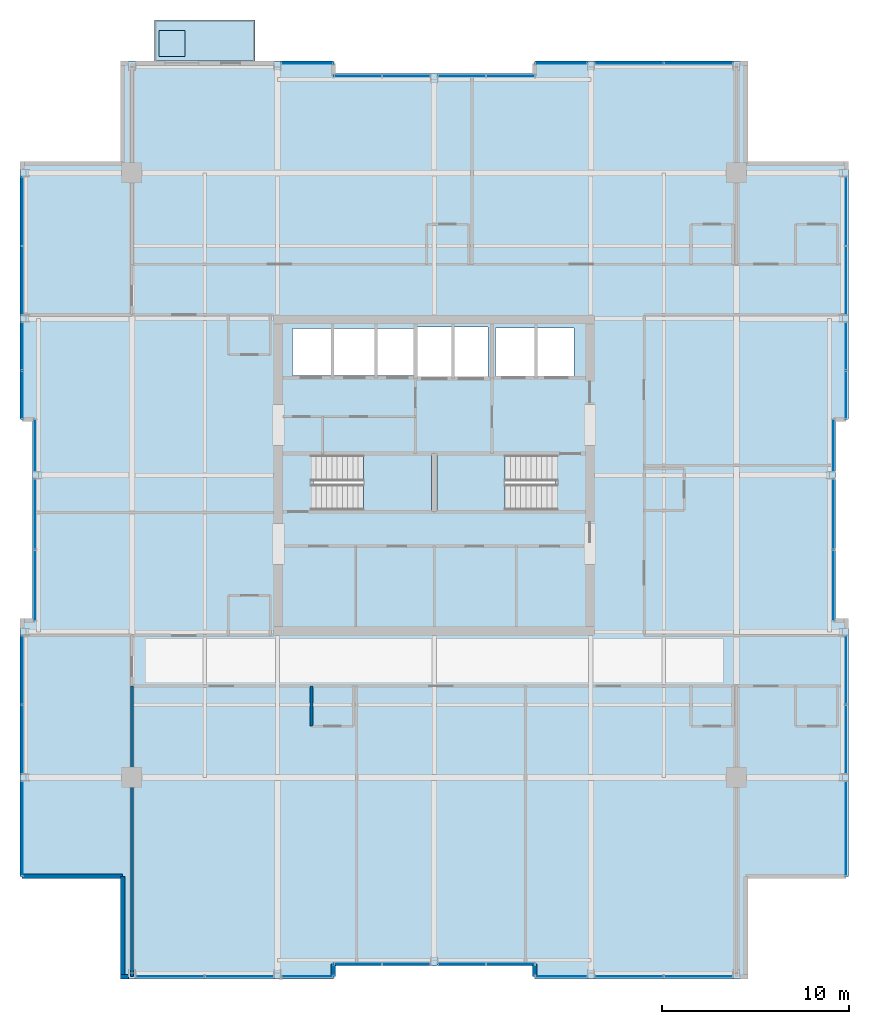
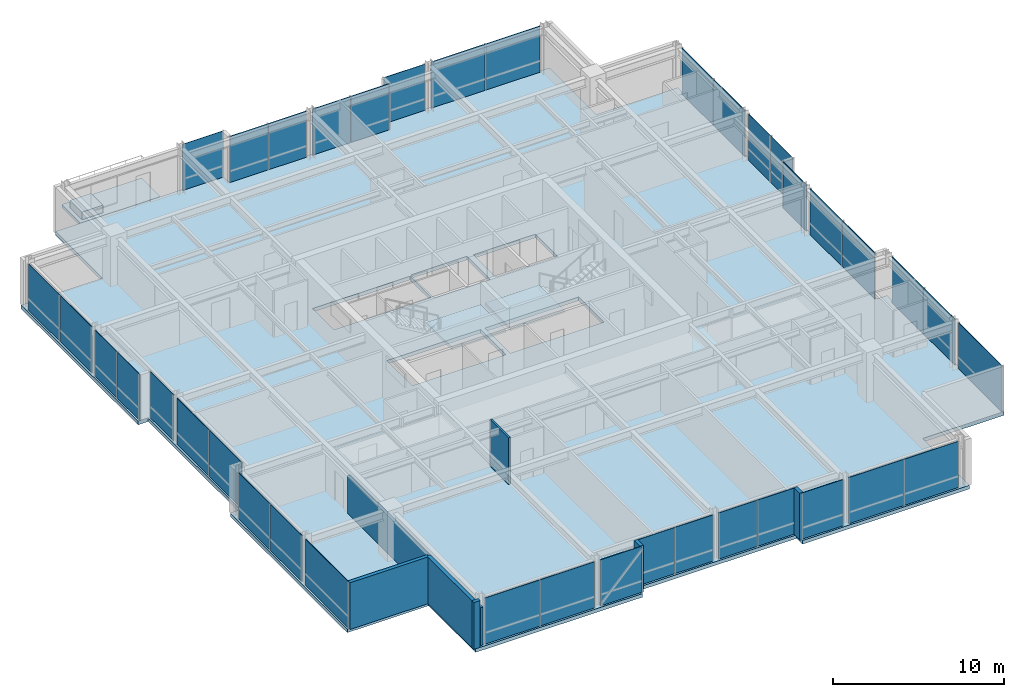
# One storey, part 25 of 32: 38 plates, 7 walls, 5 slabs, 25 elements without a shape of their own.
"""IFC4 building model written with IfcOpenShell, lengths in metres."""

from ifc_helpers import new_model, si_unit, direction, frame, frame_2d, origin, origin_2d, place, context, subcontext, project, spatial, polyline, rectangle, outline, extrude, material, layer, layer_set, type_object, element, aggregate, save


model = new_model("IFC4")

# Units and contexts
model_context = context("Model", 3, precision=1e-05, world=origin(), true_north=direction((0.0, 1.0)))
body_context = subcontext(model_context, "Body", "Model", "MODEL_VIEW")
ifc_project = project(units=[si_unit("LENGTHUNIT", "METRE"), si_unit("AREAUNIT", "SQUARE_METRE"), si_unit("VOLUMEUNIT", "CUBIC_METRE"), si_unit("PLANEANGLEUNIT", "RADIAN"), si_unit("MASSUNIT", "GRAM", prefix="KILO")], contexts=[model_context])

# Site, building, storey
site_placement = place(None, origin())
site = spatial("IfcSite", under=ifc_project, at=site_placement, CompositionType="ELEMENT")
building_placement = place(site_placement, origin())
building = spatial("IfcBuilding", under=site, at=building_placement, Name="Drelvath Grand Hotel", CompositionType="ELEMENT")
storey_placement = place(building_placement, frame((0.0, 0.0, 223.10009765625)))
storey = spatial("IfcBuildingStorey", under=building, at=storey_placement, Name="L58", CompositionType="ELEMENT", Elevation=223.10009765625)

# Slabs
ifc_material_1 = material(Name="Concrete f'c 40 MPa", Category="concrete")
ifc_layer_1 = layer(ifc_material_1, 0.239990234375)
ifc_layer_set_1 = layer_set([ifc_layer_1], Name="Concrete f'c 40 MPa")
slab_type_1 = type_object("IfcSlabType", Name="Cantilevered Tree Balcony Slab 240", PredefinedType="FLOOR", material=ifc_layer_set_1)
slab_1_placement = place(storey_placement, frame((0.0, 0.0, -0.239990234375)))
element("IfcSlab", 1, at=slab_1_placement, inside=storey, type_object=slab_type_1, Name="L58 Cantilevered Tree Balcony Slab 1", PredefinedType="FLOOR", context=body_context, shape_type="SweptSolid", body=[
    extrude(outline(polyline([(-15.0, 49.199951171875), (-9.60009765625, 49.199951171875), (-9.60009765625, 51.39990234375), (-15.0, 51.39990234375), (-15.0, 49.199951171875)])), origin(), (0.0, 0.0, 1.0), 0.239990234375),
])
ifc_layer_2 = layer(ifc_material_1, 0.260009765625)
ifc_layer_set_2 = layer_set([ifc_layer_2], Name="Concrete f'c 40 MPa")
slab_type_2 = type_object("IfcSlabType", Name="Composite RC Floor Slab 260", PredefinedType="FLOOR", material=ifc_layer_set_2)
slab_2_placement = place(storey_placement, frame((0.0, 0.0, -0.260009765625)))
element("IfcSlab", 2, at=slab_2_placement, inside=storey, type_object=slab_type_2, Name="L58 Structural Floor Slab", PredefinedType="FLOOR", context=body_context, shape_type="SweptSolid", body=[
    extrude(outline(polyline([(-16.699951171875, 0.0), (-5.39990234375, 0.0), (-5.39990234375, 0.679931640625), (5.39990234375, 0.679931640625), (5.39990234375, 0.0), (16.699951171875, 0.0), (16.699951171875, 5.5), (22.199951171875, 5.5), (22.199951171875, 19.199951171875), (21.52001953125, 19.199951171875), (21.52001953125, 30.0), (22.199951171875, 30.0), (22.199951171875, 43.699951171875), (16.699951171875, 43.699951171875), (16.699951171875, 49.199951171875), (5.39990234375, 49.199951171875), (5.39990234375, 48.52001953125), (-5.39990234375, 48.52001953125), (-5.39990234375, 49.199951171875), (-16.699951171875, 49.199951171875), (-16.699951171875, 43.699951171875), (-22.199951171875, 43.699951171875), (-22.199951171875, 30.0), (-21.52001953125, 30.0), (-21.52001953125, 19.199951171875), (-22.199951171875, 19.199951171875), (-22.199951171875, 5.5), (-16.699951171875, 5.5), (-16.699951171875, 0.0)]), holes=[polyline([(-6.47998046875, 25.1201171875), (-6.47998046875, 28.080078125), (-0.14990234375, 28.080078125), (-0.14990234375, 25.1201171875), (-6.47998046875, 25.1201171875)]), polyline([(0.14990234375, 25.1201171875), (0.14990234375, 28.080078125), (6.47998046875, 28.080078125), (6.47998046875, 25.1201171875), (0.14990234375, 25.1201171875)]), polyline([(-7.60009765625, 32.35009765625), (-7.60009765625, 34.85009765625), (-1.02001953125, 34.85009765625), (-1.02001953125, 32.35009765625), (-7.60009765625, 32.35009765625)]), polyline([(-0.89990234375, 32.25), (-0.89990234375, 34.949951171875), (2.89990234375, 34.949951171875), (2.89990234375, 32.25), (-0.89990234375, 32.25)]), polyline([(3.300048828125, 32.300048828125), (3.300048828125, 34.89990234375), (7.5, 34.89990234375), (7.5, 32.300048828125), (3.300048828125, 32.300048828125)])]), origin(), (0.0, 0.0, 1.0), 0.260009765625),
])

# Stair, slab
ifc_material_2 = material(Name="Concrete C40/50", Category="concrete")
stair_type = type_object("IfcStairType", Name="Dogleg Exit Stair W1400-R163.6", PredefinedType="HALF_TURN_STAIR", material=ifc_material_2)
stair_1_placement = place(storey_placement, origin())
stair_1 = element("IfcStair", 3, at=stair_1_placement, inside=storey, type_object=stair_type, Name="L58 Core Exit Stair ST-1", PredefinedType="HALF_TURN_STAIR")
ifc_layer_3 = layer(ifc_material_2, 0.199951171875)
ifc_layer_set_3 = layer_set([ifc_layer_3], Name="Concrete C40/50")
slab_type_3 = type_object("IfcSlabType", Name="Concrete Stair Landing Slab 200", PredefinedType="LANDING", material=ifc_layer_set_3)
slab_3_placement = place(storey_placement, frame((0.0, 0.0, 1.599853515625)))
slab_3 = element("IfcSlab", 4, at=slab_3_placement, type_object=slab_type_3, Name="ST-1 landing 1", PredefinedType="LANDING", context=body_context, shape_type="SweptSolid", body=[
    extrude(outline(polyline([(-3.800048828125, 25.1201171875), (-0.14990234375, 25.1201171875), (-0.14990234375, 28.080078125), (-3.800048828125, 28.080078125), (-3.800048828125, 25.1201171875)])), origin(), (0.0, 0.0, 1.0), 0.199951171875),
])
aggregate(stair_1, [slab_3])

stair_2_placement = place(storey_placement, origin())
stair_2 = element("IfcStair", 5, at=stair_2_placement, inside=storey, type_object=stair_type, Name="L58 Core Exit Stair ST-2", PredefinedType="HALF_TURN_STAIR")
slab_4_placement = place(storey_placement, frame((0.0, 0.0, 1.599853515625)))
slab_4 = element("IfcSlab", 6, at=slab_4_placement, type_object=slab_type_3, Name="ST-2 landing 1", PredefinedType="LANDING", context=body_context, shape_type="SweptSolid", body=[
    extrude(outline(polyline([(3.800048828125, 28.080078125), (0.14990234375, 28.080078125), (0.14990234375, 25.1201171875), (3.800048828125, 25.1201171875), (3.800048828125, 28.080078125)])), origin(), (0.0, 0.0, 1.0), 0.199951171875),
])
aggregate(stair_2, [slab_4])

# Curtain wall, plate
ifc_material_3 = material(Name="Platinum-Mist Anodised Aluminium Frame", Category="aluminium")
ifc_layer_4 = layer(ifc_material_3, 0.199951171875)
ifc_layer_set_4 = layer_set([ifc_layer_4], Name="Platinum-Mist Anodised Aluminium Frame")
curtain_wall_type = type_object("IfcCurtainWallType", Name="Stick Curtain Wall CW-05 Platinum Mist High-Rise", PredefinedType="NOTDEFINED", material=ifc_layer_set_4)
curtain_wall_1_placement = place(storey_placement, origin())
curtain_wall_1 = element("IfcCurtainWall", 7, at=curtain_wall_1_placement, inside=storey, type_object=curtain_wall_type, Name="L58 CW-05 Curtain Wall CW05-L58-WS1", PredefinedType="NOTDEFINED")
ifc_material_4 = material(Name="Low-E Triple Silver High-Altitude Glass", Category="glass")
ifc_layer_5 = layer(ifc_material_4, 0.035888671875)
ifc_layer_set_5 = layer_set([ifc_layer_5], Name="Low-E Triple Silver High-Altitude Glass")
plate_type = type_object("IfcPlateType", Name="Curtain Wall Vision Panel CW-05 36mm", PredefinedType="CURTAIN_PANEL", material=ifc_layer_set_5)
plate_1_placement = place(storey_placement, frame((-22.080078125, 8.057373046875, 0.02001953125), z_axis=(0.0, 0.0, 1.0), x_axis=(0.0, 1.0, 0.0)))
plate_1 = element("IfcPlate", 8, at=plate_1_placement, type_object=plate_type, Name="CW05-L58-WS1 Glazed Panel 1", PredefinedType="CURTAIN_PANEL", context=body_context, shape_type="SweptSolid", body=[
    extrude(rectangle(XDim=5.07470703125, YDim=0.035888671875, at=origin_2d()), origin(), (0.0, 0.0, 1.0), 3.300048828125),
])
aggregate(curtain_wall_1, [plate_1])

# Curtain wall, plates
curtain_wall_2_placement = place(storey_placement, origin())
curtain_wall_2 = element("IfcCurtainWall", 9, at=curtain_wall_2_placement, inside=storey, type_object=curtain_wall_type, Name="L58 CW-05 Curtain Wall CW05-L58-WS2", PredefinedType="NOTDEFINED")
plate_2_placement = place(storey_placement, frame((-22.080078125, 12.842529296875, 0.02001953125), z_axis=(0.0, 0.0, 1.0), x_axis=(0.0, 1.0, 0.0)))
plate_2 = element("IfcPlate", 10, at=plate_2_placement, type_object=plate_type, Name="CW05-L58-WS2 Glazed Panel 1", PredefinedType="CURTAIN_PANEL", context=body_context, shape_type="SweptSolid", body=[
    extrude(rectangle(XDim=3.6748046875, YDim=0.035888671875, at=origin_2d()), origin(), (0.0, 0.0, 1.0), 3.300048828125),
])
plate_3_placement = place(storey_placement, frame((-22.080078125, 16.557373046875, 0.02001953125), z_axis=(0.0, 0.0, 1.0), x_axis=(0.0, 1.0, 0.0)))
plate_3 = element("IfcPlate", 11, at=plate_3_placement, type_object=plate_type, Name="CW05-L58-WS2 Glazed Panel 2", PredefinedType="CURTAIN_PANEL", context=body_context, shape_type="SweptSolid", body=[
    extrude(rectangle(XDim=3.6748046875, YDim=0.035888671875, at=origin_2d()), origin(), (0.0, 0.0, 1.0), 3.300048828125),
])
aggregate(curtain_wall_2, [plate_2, plate_3])

curtain_wall_3_placement = place(storey_placement, origin())
curtain_wall_3 = element("IfcCurtainWall", 12, at=curtain_wall_3_placement, inside=storey, type_object=curtain_wall_type, Name="L58 CW-05 Curtain Wall CW05-L58-WM1", PredefinedType="NOTDEFINED")
plate_4_placement = place(storey_placement, frame((-21.39990234375, 21.103759765625, 0.02001953125), z_axis=(0.0, 0.0, 1.0), x_axis=(0.0, 1.0, 0.0)))
plate_4 = element("IfcPlate", 13, at=plate_4_placement, type_object=plate_type, Name="CW05-L58-WM1 Glazed Panel 1", PredefinedType="CURTAIN_PANEL", context=body_context, shape_type="SweptSolid", body=[
    extrude(rectangle(XDim=3.767333984375, YDim=0.035888671875, at=origin_2d()), origin(), (0.0, 0.0, 1.0), 3.300048828125),
])
plate_5_placement = place(storey_placement, frame((-21.39990234375, 24.910888671875, 0.02001953125), z_axis=(0.0, 0.0, 1.0), x_axis=(0.0, 1.0, 0.0)))
plate_5 = element("IfcPlate", 14, at=plate_5_placement, type_object=plate_type, Name="CW05-L58-WM1 Glazed Panel 2", PredefinedType="CURTAIN_PANEL", context=body_context, shape_type="SweptSolid", body=[
    extrude(rectangle(XDim=3.767333984375, YDim=0.035888671875, at=origin_2d()), origin(), (0.0, 0.0, 1.0), 3.300048828125),
])
aggregate(curtain_wall_3, [plate_4, plate_5])

# Curtain wall, plate
curtain_wall_4_placement = place(storey_placement, origin())
curtain_wall_4 = element("IfcCurtainWall", 15, at=curtain_wall_4_placement, inside=storey, type_object=curtain_wall_type, Name="L58 CW-05 Curtain Wall CW05-L58-WM2", PredefinedType="NOTDEFINED")
plate_6_placement = place(storey_placement, frame((-21.39990234375, 28.592529296875, 0.02001953125), z_axis=(0.0, 0.0, 1.0), x_axis=(0.0, 1.0, 0.0)))
plate_6 = element("IfcPlate", 16, at=plate_6_placement, type_object=plate_type, Name="CW05-L58-WM2 Glazed Panel 1", PredefinedType="CURTAIN_PANEL", context=body_context, shape_type="SweptSolid", body=[
    extrude(rectangle(XDim=2.774658203125, YDim=0.035888671875, at=origin_2d()), origin(), (0.0, 0.0, 1.0), 3.300048828125),
])
aggregate(curtain_wall_4, [plate_6])

# Curtain wall, plates
curtain_wall_5_placement = place(storey_placement, origin())
curtain_wall_5 = element("IfcCurtainWall", 17, at=curtain_wall_5_placement, inside=storey, type_object=curtain_wall_type, Name="L58 CW-05 Curtain Wall CW05-L58-WN1", PredefinedType="NOTDEFINED")
plate_7_placement = place(storey_placement, frame((-22.080078125, 31.3037109375, 0.02001953125), z_axis=(0.0, 0.0, 1.0), x_axis=(0.0, 1.0, 0.0)))
plate_7 = element("IfcPlate", 18, at=plate_7_placement, type_object=plate_type, Name="CW05-L58-WN1 Glazed Panel 1", PredefinedType="CURTAIN_PANEL", context=body_context, shape_type="SweptSolid", body=[
    extrude(rectangle(XDim=2.5673828125, YDim=0.035888671875, at=origin_2d()), origin(), (0.0, 0.0, 1.0), 3.300048828125),
])
plate_8_placement = place(storey_placement, frame((-22.080078125, 33.9111328125, 0.02001953125), z_axis=(0.0, 0.0, 1.0), x_axis=(0.0, 1.0, 0.0)))
plate_8 = element("IfcPlate", 19, at=plate_8_placement, type_object=plate_type, Name="CW05-L58-WN1 Glazed Panel 2", PredefinedType="CURTAIN_PANEL", context=body_context, shape_type="SweptSolid", body=[
    extrude(rectangle(XDim=2.5673828125, YDim=0.035888671875, at=origin_2d()), origin(), (0.0, 0.0, 1.0), 3.300048828125),
])
aggregate(curtain_wall_5, [plate_7, plate_8])

curtain_wall_6_placement = place(storey_placement, origin())
curtain_wall_6 = element("IfcCurtainWall", 20, at=curtain_wall_6_placement, inside=storey, type_object=curtain_wall_type, Name="L58 CW-05 Curtain Wall CW05-L58-WN2", PredefinedType="NOTDEFINED")
plate_9_placement = place(storey_placement, frame((-22.080078125, 37.442626953125, 0.02001953125), z_axis=(0.0, 0.0, 1.0), x_axis=(0.0, 1.0, 0.0)))
plate_9 = element("IfcPlate", 21, at=plate_9_placement, type_object=plate_type, Name="CW05-L58-WN2 Glazed Panel 1", PredefinedType="CURTAIN_PANEL", context=body_context, shape_type="SweptSolid", body=[
    extrude(rectangle(XDim=3.6748046875, YDim=0.035888671875, at=origin_2d()), origin(), (0.0, 0.0, 1.0), 3.300048828125),
])
plate_10_placement = place(storey_placement, frame((-22.080078125, 41.157470703125, 0.02001953125), z_axis=(0.0, 0.0, 1.0), x_axis=(0.0, 1.0, 0.0)))
plate_10 = element("IfcPlate", 22, at=plate_10_placement, type_object=plate_type, Name="CW05-L58-WN2 Glazed Panel 2", PredefinedType="CURTAIN_PANEL", context=body_context, shape_type="SweptSolid", body=[
    extrude(rectangle(XDim=3.6748046875, YDim=0.035888671875, at=origin_2d()), origin(), (0.0, 0.0, 1.0), 3.300048828125),
])
aggregate(curtain_wall_6, [plate_9, plate_10])

curtain_wall_7_placement = place(storey_placement, origin())
curtain_wall_7 = element("IfcCurtainWall", 23, at=curtain_wall_7_placement, inside=storey, type_object=curtain_wall_type, Name="L58 CW-05 Curtain Wall CW05-L58-EN1", PredefinedType="NOTDEFINED")
plate_11_placement = place(storey_placement, frame((22.080078125, 33.9111328125, 0.02001953125), z_axis=(0.0, 0.0, 1.0), x_axis=(0.0, -1.0, 0.0)))
plate_11 = element("IfcPlate", 24, at=plate_11_placement, type_object=plate_type, Name="CW05-L58-EN1 Glazed Panel 1", PredefinedType="CURTAIN_PANEL", context=body_context, shape_type="SweptSolid", body=[
    extrude(rectangle(XDim=2.5673828125, YDim=0.035888671875, at=origin_2d()), origin(), (0.0, 0.0, 1.0), 3.300048828125),
])
plate_12_placement = place(storey_placement, frame((22.080078125, 31.3037109375, 0.02001953125), z_axis=(0.0, 0.0, 1.0), x_axis=(0.0, -1.0, 0.0)))
plate_12 = element("IfcPlate", 25, at=plate_12_placement, type_object=plate_type, Name="CW05-L58-EN1 Glazed Panel 2", PredefinedType="CURTAIN_PANEL", context=body_context, shape_type="SweptSolid", body=[
    extrude(rectangle(XDim=2.5673828125, YDim=0.035888671875, at=origin_2d()), origin(), (0.0, 0.0, 1.0), 3.300048828125),
])
aggregate(curtain_wall_7, [plate_11, plate_12])

curtain_wall_8_placement = place(storey_placement, origin())
curtain_wall_8 = element("IfcCurtainWall", 26, at=curtain_wall_8_placement, inside=storey, type_object=curtain_wall_type, Name="L58 CW-05 Curtain Wall CW05-L58-EN2", PredefinedType="NOTDEFINED")
plate_13_placement = place(storey_placement, frame((22.080078125, 41.157470703125, 0.02001953125), z_axis=(0.0, 0.0, 1.0), x_axis=(0.0, -1.0, 0.0)))
plate_13 = element("IfcPlate", 27, at=plate_13_placement, type_object=plate_type, Name="CW05-L58-EN2 Glazed Panel 1", PredefinedType="CURTAIN_PANEL", context=body_context, shape_type="SweptSolid", body=[
    extrude(rectangle(XDim=3.6748046875, YDim=0.035888671875, at=origin_2d()), origin(), (0.0, 0.0, 1.0), 3.300048828125),
])
plate_14_placement = place(storey_placement, frame((22.080078125, 37.442626953125, 0.02001953125), z_axis=(0.0, 0.0, 1.0), x_axis=(0.0, -1.0, 0.0)))
plate_14 = element("IfcPlate", 28, at=plate_14_placement, type_object=plate_type, Name="CW05-L58-EN2 Glazed Panel 2", PredefinedType="CURTAIN_PANEL", context=body_context, shape_type="SweptSolid", body=[
    extrude(rectangle(XDim=3.6748046875, YDim=0.035888671875, at=origin_2d()), origin(), (0.0, 0.0, 1.0), 3.300048828125),
])
aggregate(curtain_wall_8, [plate_13, plate_14])

curtain_wall_9_placement = place(storey_placement, origin())
curtain_wall_9 = element("IfcCurtainWall", 29, at=curtain_wall_9_placement, inside=storey, type_object=curtain_wall_type, Name="L58 CW-05 Curtain Wall CW05-L58-EM1", PredefinedType="NOTDEFINED")
plate_15_placement = place(storey_placement, frame((21.39990234375, 24.910888671875, 0.02001953125), z_axis=(0.0, 0.0, 1.0), x_axis=(0.0, -1.0, 0.0)))
plate_15 = element("IfcPlate", 30, at=plate_15_placement, type_object=plate_type, Name="CW05-L58-EM1 Glazed Panel 1", PredefinedType="CURTAIN_PANEL", context=body_context, shape_type="SweptSolid", body=[
    extrude(rectangle(XDim=3.767333984375, YDim=0.035888671875, at=origin_2d()), origin(), (0.0, 0.0, 1.0), 3.300048828125),
])
plate_16_placement = place(storey_placement, frame((21.39990234375, 21.103759765625, 0.02001953125), z_axis=(0.0, 0.0, 1.0), x_axis=(0.0, -1.0, 0.0)))
plate_16 = element("IfcPlate", 31, at=plate_16_placement, type_object=plate_type, Name="CW05-L58-EM1 Glazed Panel 2", PredefinedType="CURTAIN_PANEL", context=body_context, shape_type="SweptSolid", body=[
    extrude(rectangle(XDim=3.767333984375, YDim=0.035888671875, at=origin_2d()), origin(), (0.0, 0.0, 1.0), 3.300048828125),
])
aggregate(curtain_wall_9, [plate_15, plate_16])

# Curtain wall, plate
curtain_wall_10_placement = place(storey_placement, origin())
curtain_wall_10 = element("IfcCurtainWall", 32, at=curtain_wall_10_placement, inside=storey, type_object=curtain_wall_type, Name="L58 CW-05 Curtain Wall CW05-L58-EM2", PredefinedType="NOTDEFINED")
plate_17_placement = place(storey_placement, frame((21.39990234375, 28.592529296875, 0.02001953125), z_axis=(0.0, 0.0, 1.0), x_axis=(0.0, -1.0, 0.0)))
plate_17 = element("IfcPlate", 33, at=plate_17_placement, type_object=plate_type, Name="CW05-L58-EM2 Glazed Panel 1", PredefinedType="CURTAIN_PANEL", context=body_context, shape_type="SweptSolid", body=[
    extrude(rectangle(XDim=2.774658203125, YDim=0.035888671875, at=origin_2d()), origin(), (0.0, 0.0, 1.0), 3.300048828125),
])
aggregate(curtain_wall_10, [plate_17])

curtain_wall_11_placement = place(storey_placement, origin())
curtain_wall_11 = element("IfcCurtainWall", 34, at=curtain_wall_11_placement, inside=storey, type_object=curtain_wall_type, Name="L58 CW-05 Curtain Wall CW05-L58-ES1", PredefinedType="NOTDEFINED")
plate_18_placement = place(storey_placement, frame((22.080078125, 8.057373046875, 0.02001953125), z_axis=(0.0, 0.0, 1.0), x_axis=(0.0, -1.0, 0.0)))
plate_18 = element("IfcPlate", 35, at=plate_18_placement, type_object=plate_type, Name="CW05-L58-ES1 Glazed Panel 1", PredefinedType="CURTAIN_PANEL", context=body_context, shape_type="SweptSolid", body=[
    extrude(rectangle(XDim=5.07470703125, YDim=0.035888671875, at=origin_2d()), origin(), (0.0, 0.0, 1.0), 3.300048828125),
])
aggregate(curtain_wall_11, [plate_18])

# Curtain wall, plates
curtain_wall_12_placement = place(storey_placement, origin())
curtain_wall_12 = element("IfcCurtainWall", 36, at=curtain_wall_12_placement, inside=storey, type_object=curtain_wall_type, Name="L58 CW-05 Curtain Wall CW05-L58-ES2", PredefinedType="NOTDEFINED")
plate_19_placement = place(storey_placement, frame((22.080078125, 16.557373046875, 0.02001953125), z_axis=(0.0, 0.0, 1.0), x_axis=(0.0, -1.0, 0.0)))
plate_19 = element("IfcPlate", 37, at=plate_19_placement, type_object=plate_type, Name="CW05-L58-ES2 Glazed Panel 1", PredefinedType="CURTAIN_PANEL", context=body_context, shape_type="SweptSolid", body=[
    extrude(rectangle(XDim=3.6748046875, YDim=0.035888671875, at=origin_2d()), origin(), (0.0, 0.0, 1.0), 3.300048828125),
])
plate_20_placement = place(storey_placement, frame((22.080078125, 12.842529296875, 0.02001953125), z_axis=(0.0, 0.0, 1.0), x_axis=(0.0, -1.0, 0.0)))
plate_20 = element("IfcPlate", 38, at=plate_20_placement, type_object=plate_type, Name="CW05-L58-ES2 Glazed Panel 2", PredefinedType="CURTAIN_PANEL", context=body_context, shape_type="SweptSolid", body=[
    extrude(rectangle(XDim=3.6748046875, YDim=0.035888671875, at=origin_2d()), origin(), (0.0, 0.0, 1.0), 3.300048828125),
])
aggregate(curtain_wall_12, [plate_19, plate_20])

# Curtain wall, plate
curtain_wall_13_placement = place(storey_placement, origin())
curtain_wall_13 = element("IfcCurtainWall", 39, at=curtain_wall_13_placement, inside=storey, type_object=curtain_wall_type, Name="L58 CW-05 Curtain Wall CW05-L58-NW3", PredefinedType="NOTDEFINED")
plate_21_placement = place(storey_placement, frame((-6.807373046875, 49.080078125, 0.02001953125), z_axis=(0.0, 0.0, 1.0), x_axis=(1.0, 0.0, 0.0)))
plate_21 = element("IfcPlate", 40, at=plate_21_placement, type_object=plate_type, Name="CW05-L58-NW3 Glazed Panel 1", PredefinedType="CURTAIN_PANEL", context=body_context, shape_type="SweptSolid", body=[
    extrude(rectangle(XDim=2.774658203125, YDim=0.035888671875, at=origin_2d()), origin(), (0.0, 0.0, 1.0), 3.300048828125),
])
aggregate(curtain_wall_13, [plate_21])

# Curtain wall, plates
curtain_wall_14_placement = place(storey_placement, origin())
curtain_wall_14 = element("IfcCurtainWall", 41, at=curtain_wall_14_placement, inside=storey, type_object=curtain_wall_type, Name="L58 CW-05 Curtain Wall CW05-L58-NM1", PredefinedType="NOTDEFINED")
plate_22_placement = place(storey_placement, frame((-4.096435546875, 48.39990234375, 0.02001953125), z_axis=(0.0, 0.0, 1.0), x_axis=(1.0, 0.0, 0.0)))
plate_22 = element("IfcPlate", 42, at=plate_22_placement, type_object=plate_type, Name="CW05-L58-NM1 Glazed Panel 1", PredefinedType="CURTAIN_PANEL", context=body_context, shape_type="SweptSolid", body=[
    extrude(rectangle(XDim=2.5673828125, YDim=0.035888671875, at=origin_2d()), origin(), (0.0, 0.0, 1.0), 3.300048828125),
])
plate_23_placement = place(storey_placement, frame((-1.489013671875, 48.39990234375, 0.02001953125), z_axis=(0.0, 0.0, 1.0), x_axis=(1.0, 0.0, 0.0)))
plate_23 = element("IfcPlate", 43, at=plate_23_placement, type_object=plate_type, Name="CW05-L58-NM1 Glazed Panel 2", PredefinedType="CURTAIN_PANEL", context=body_context, shape_type="SweptSolid", body=[
    extrude(rectangle(XDim=2.5673828125, YDim=0.035888671875, at=origin_2d()), origin(), (0.0, 0.0, 1.0), 3.300048828125),
])
aggregate(curtain_wall_14, [plate_22, plate_23])

curtain_wall_15_placement = place(storey_placement, origin())
curtain_wall_15 = element("IfcCurtainWall", 44, at=curtain_wall_15_placement, inside=storey, type_object=curtain_wall_type, Name="L58 CW-05 Curtain Wall CW05-L58-NM2", PredefinedType="NOTDEFINED")
plate_24_placement = place(storey_placement, frame((1.489013671875, 48.39990234375, 0.02001953125), z_axis=(0.0, 0.0, 1.0), x_axis=(1.0, 0.0, 0.0)))
plate_24 = element("IfcPlate", 45, at=plate_24_placement, type_object=plate_type, Name="CW05-L58-NM2 Glazed Panel 1", PredefinedType="CURTAIN_PANEL", context=body_context, shape_type="SweptSolid", body=[
    extrude(rectangle(XDim=2.5673828125, YDim=0.035888671875, at=origin_2d()), origin(), (0.0, 0.0, 1.0), 3.300048828125),
])
plate_25_placement = place(storey_placement, frame((4.096435546875, 48.39990234375, 0.02001953125), z_axis=(0.0, 0.0, 1.0), x_axis=(1.0, 0.0, 0.0)))
plate_25 = element("IfcPlate", 46, at=plate_25_placement, type_object=plate_type, Name="CW05-L58-NM2 Glazed Panel 2", PredefinedType="CURTAIN_PANEL", context=body_context, shape_type="SweptSolid", body=[
    extrude(rectangle(XDim=2.5673828125, YDim=0.035888671875, at=origin_2d()), origin(), (0.0, 0.0, 1.0), 3.300048828125),
])
aggregate(curtain_wall_15, [plate_24, plate_25])

# Curtain wall, plate
curtain_wall_16_placement = place(storey_placement, origin())
curtain_wall_16 = element("IfcCurtainWall", 47, at=curtain_wall_16_placement, inside=storey, type_object=curtain_wall_type, Name="L58 CW-05 Curtain Wall CW05-L58-NE1", PredefinedType="NOTDEFINED")
plate_26_placement = place(storey_placement, frame((6.807373046875, 49.080078125, 0.02001953125), z_axis=(0.0, 0.0, 1.0), x_axis=(1.0, 0.0, 0.0)))
plate_26 = element("IfcPlate", 48, at=plate_26_placement, type_object=plate_type, Name="CW05-L58-NE1 Glazed Panel 1", PredefinedType="CURTAIN_PANEL", context=body_context, shape_type="SweptSolid", body=[
    extrude(rectangle(XDim=2.774658203125, YDim=0.035888671875, at=origin_2d()), origin(), (0.0, 0.0, 1.0), 3.300048828125),
])
aggregate(curtain_wall_16, [plate_26])

# Curtain wall, plates
curtain_wall_17_placement = place(storey_placement, origin())
curtain_wall_17 = element("IfcCurtainWall", 49, at=curtain_wall_17_placement, inside=storey, type_object=curtain_wall_type, Name="L58 CW-05 Curtain Wall CW05-L58-NE2", PredefinedType="NOTDEFINED")
plate_27_placement = place(storey_placement, frame((10.442626953125, 49.080078125, 0.02001953125), z_axis=(0.0, 0.0, 1.0), x_axis=(1.0, 0.0, 0.0)))
plate_27 = element("IfcPlate", 50, at=plate_27_placement, type_object=plate_type, Name="CW05-L58-NE2 Glazed Panel 1", PredefinedType="CURTAIN_PANEL", context=body_context, shape_type="SweptSolid", body=[
    extrude(rectangle(XDim=3.6748046875, YDim=0.035888671875, at=origin_2d()), origin(), (0.0, 0.0, 1.0), 3.300048828125),
])
plate_28_placement = place(storey_placement, frame((14.157470703125, 49.080078125, 0.02001953125), z_axis=(0.0, 0.0, 1.0), x_axis=(1.0, 0.0, 0.0)))
plate_28 = element("IfcPlate", 51, at=plate_28_placement, type_object=plate_type, Name="CW05-L58-NE2 Glazed Panel 2", PredefinedType="CURTAIN_PANEL", context=body_context, shape_type="SweptSolid", body=[
    extrude(rectangle(XDim=3.6748046875, YDim=0.035888671875, at=origin_2d()), origin(), (0.0, 0.0, 1.0), 3.300048828125),
])
aggregate(curtain_wall_17, [plate_27, plate_28])

# Curtain wall, plate
curtain_wall_18_placement = place(storey_placement, origin())
curtain_wall_18 = element("IfcCurtainWall", 52, at=curtain_wall_18_placement, inside=storey, type_object=curtain_wall_type, Name="L58 CW-05 Curtain Wall CW05-L58-SE1", PredefinedType="NOTDEFINED")
plate_29_placement = place(storey_placement, frame((6.807373046875, 0.1201171875, 0.02001953125), z_axis=(0.0, 0.0, 1.0), x_axis=(-1.0, 0.0, 0.0)))
plate_29 = element("IfcPlate", 53, at=plate_29_placement, type_object=plate_type, Name="CW05-L58-SE1 Glazed Panel 1", PredefinedType="CURTAIN_PANEL", context=body_context, shape_type="SweptSolid", body=[
    extrude(rectangle(XDim=2.774658203125, YDim=0.035888671875, at=origin_2d()), origin(), (0.0, 0.0, 1.0), 3.300048828125),
])
aggregate(curtain_wall_18, [plate_29])

# Curtain wall, plates
curtain_wall_19_placement = place(storey_placement, origin())
curtain_wall_19 = element("IfcCurtainWall", 54, at=curtain_wall_19_placement, inside=storey, type_object=curtain_wall_type, Name="L58 CW-05 Curtain Wall CW05-L58-SE2", PredefinedType="NOTDEFINED")
plate_30_placement = place(storey_placement, frame((14.157470703125, 0.1201171875, 0.02001953125), z_axis=(0.0, 0.0, 1.0), x_axis=(-1.0, 0.0, 0.0)))
plate_30 = element("IfcPlate", 55, at=plate_30_placement, type_object=plate_type, Name="CW05-L58-SE2 Glazed Panel 1", PredefinedType="CURTAIN_PANEL", context=body_context, shape_type="SweptSolid", body=[
    extrude(rectangle(XDim=3.6748046875, YDim=0.035888671875, at=origin_2d()), origin(), (0.0, 0.0, 1.0), 3.300048828125),
])
plate_31_placement = place(storey_placement, frame((10.442626953125, 0.1201171875, 0.02001953125), z_axis=(0.0, 0.0, 1.0), x_axis=(-1.0, 0.0, 0.0)))
plate_31 = element("IfcPlate", 56, at=plate_31_placement, type_object=plate_type, Name="CW05-L58-SE2 Glazed Panel 2", PredefinedType="CURTAIN_PANEL", context=body_context, shape_type="SweptSolid", body=[
    extrude(rectangle(XDim=3.6748046875, YDim=0.035888671875, at=origin_2d()), origin(), (0.0, 0.0, 1.0), 3.300048828125),
])
aggregate(curtain_wall_19, [plate_30, plate_31])

curtain_wall_20_placement = place(storey_placement, origin())
curtain_wall_20 = element("IfcCurtainWall", 57, at=curtain_wall_20_placement, inside=storey, type_object=curtain_wall_type, Name="L58 CW-05 Curtain Wall CW05-L58-SM1", PredefinedType="NOTDEFINED")
plate_32_placement = place(storey_placement, frame((-1.489013671875, 0.800048828125, 0.02001953125), z_axis=(0.0, 0.0, 1.0), x_axis=(-1.0, 0.0, 0.0)))
plate_32 = element("IfcPlate", 58, at=plate_32_placement, type_object=plate_type, Name="CW05-L58-SM1 Glazed Panel 1", PredefinedType="CURTAIN_PANEL", context=body_context, shape_type="SweptSolid", body=[
    extrude(rectangle(XDim=2.5673828125, YDim=0.035888671875, at=origin_2d()), origin(), (0.0, 0.0, 1.0), 3.300048828125),
])
plate_33_placement = place(storey_placement, frame((-4.096435546875, 0.800048828125, 0.02001953125), z_axis=(0.0, 0.0, 1.0), x_axis=(-1.0, 0.0, 0.0)))
plate_33 = element("IfcPlate", 59, at=plate_33_placement, type_object=plate_type, Name="CW05-L58-SM1 Glazed Panel 2", PredefinedType="CURTAIN_PANEL", context=body_context, shape_type="SweptSolid", body=[
    extrude(rectangle(XDim=2.5673828125, YDim=0.035888671875, at=origin_2d()), origin(), (0.0, 0.0, 1.0), 3.300048828125),
])
aggregate(curtain_wall_20, [plate_32, plate_33])

curtain_wall_21_placement = place(storey_placement, origin())
curtain_wall_21 = element("IfcCurtainWall", 60, at=curtain_wall_21_placement, inside=storey, type_object=curtain_wall_type, Name="L58 CW-05 Curtain Wall CW05-L58-SM2", PredefinedType="NOTDEFINED")
plate_34_placement = place(storey_placement, frame((4.096435546875, 0.800048828125, 0.02001953125), z_axis=(0.0, 0.0, 1.0), x_axis=(-1.0, 0.0, 0.0)))
plate_34 = element("IfcPlate", 61, at=plate_34_placement, type_object=plate_type, Name="CW05-L58-SM2 Glazed Panel 1", PredefinedType="CURTAIN_PANEL", context=body_context, shape_type="SweptSolid", body=[
    extrude(rectangle(XDim=2.5673828125, YDim=0.035888671875, at=origin_2d()), origin(), (0.0, 0.0, 1.0), 3.300048828125),
])
plate_35_placement = place(storey_placement, frame((1.489013671875, 0.800048828125, 0.02001953125), z_axis=(0.0, 0.0, 1.0), x_axis=(-1.0, 0.0, 0.0)))
plate_35 = element("IfcPlate", 62, at=plate_35_placement, type_object=plate_type, Name="CW05-L58-SM2 Glazed Panel 2", PredefinedType="CURTAIN_PANEL", context=body_context, shape_type="SweptSolid", body=[
    extrude(rectangle(XDim=2.5673828125, YDim=0.035888671875, at=origin_2d()), origin(), (0.0, 0.0, 1.0), 3.300048828125),
])
aggregate(curtain_wall_21, [plate_34, plate_35])

curtain_wall_22_placement = place(storey_placement, origin())
curtain_wall_22 = element("IfcCurtainWall", 63, at=curtain_wall_22_placement, inside=storey, type_object=curtain_wall_type, Name="L58 CW-05 Curtain Wall CW05-L58-SW2", PredefinedType="NOTDEFINED")
plate_36_placement = place(storey_placement, frame((-10.442626953125, 0.1201171875, 0.02001953125), z_axis=(0.0, 0.0, 1.0), x_axis=(-1.0, 0.0, 0.0)))
plate_36 = element("IfcPlate", 64, at=plate_36_placement, type_object=plate_type, Name="CW05-L58-SW2 Glazed Panel 1", PredefinedType="CURTAIN_PANEL", context=body_context, shape_type="SweptSolid", body=[
    extrude(rectangle(XDim=3.6748046875, YDim=0.035888671875, at=origin_2d()), origin(), (0.0, 0.0, 1.0), 3.300048828125),
])
plate_37_placement = place(storey_placement, frame((-14.157470703125, 0.1201171875, 0.02001953125), z_axis=(0.0, 0.0, 1.0), x_axis=(-1.0, 0.0, 0.0)))
plate_37 = element("IfcPlate", 65, at=plate_37_placement, type_object=plate_type, Name="CW05-L58-SW2 Glazed Panel 2", PredefinedType="CURTAIN_PANEL", context=body_context, shape_type="SweptSolid", body=[
    extrude(rectangle(XDim=3.6748046875, YDim=0.035888671875, at=origin_2d()), origin(), (0.0, 0.0, 1.0), 3.300048828125),
])
aggregate(curtain_wall_22, [plate_36, plate_37])

# Curtain wall, plate
curtain_wall_23_placement = place(storey_placement, origin())
curtain_wall_23 = element("IfcCurtainWall", 66, at=curtain_wall_23_placement, inside=storey, type_object=curtain_wall_type, Name="L58 CW-05 Curtain Wall CW05-L58-SW3", PredefinedType="NOTDEFINED")
plate_38_placement = place(storey_placement, frame((-6.807373046875, 0.1201171875, 0.02001953125), z_axis=(0.0, 0.0, 1.0), x_axis=(-1.0, 0.0, 0.0)))
plate_38 = element("IfcPlate", 67, at=plate_38_placement, type_object=plate_type, Name="CW05-L58-SW3 Glazed Panel 1", PredefinedType="CURTAIN_PANEL", context=body_context, shape_type="SweptSolid", body=[
    extrude(rectangle(XDim=2.774658203125, YDim=0.035888671875, at=origin_2d()), origin(), (0.0, 0.0, 1.0), 3.300048828125),
])
aggregate(curtain_wall_23, [plate_38])

# Slab
ifc_layer_6 = layer(ifc_material_1, 0.550048828125)
ifc_layer_set_6 = layer_set([ifc_layer_6], Name="Concrete f'c 40 MPa")
slab_type_4 = type_object("IfcSlabType", Name="Structural Tree Planter Box 550", PredefinedType="USERDEFINED", material=ifc_layer_set_6)
slab_5_placement = place(storey_placement, origin())
element("IfcSlab", 68, at=slab_5_placement, inside=storey, type_object=slab_type_4, Name="L58 Tree Balcony Structural Planter 1", ObjectType="PLANTER", PredefinedType="USERDEFINED", context=body_context, shape_type="SweptSolid", body=[
    extrude(outline(polyline([(-14.75, 49.449951171875), (-13.35009765625, 49.449951171875), (-13.35009765625, 50.85009765625), (-14.75, 50.85009765625), (-14.75, 49.449951171875)])), origin(), (0.0, 0.0, 1.0), 0.5498046875),
])

# Walls
ifc_material_5 = material(Name="Moisture-Resistant Gypsum Board")
ifc_layer_7 = layer(ifc_material_5, 0.139892578125)
ifc_layer_set_7 = layer_set([ifc_layer_7], Name="Moisture-Resistant Gypsum Board")
wall_type_1 = type_object("IfcWallType", Name="En-Suite Plumbing Wall 140", PredefinedType="PLUMBINGWALL", material=ifc_layer_set_7)
wall_1_placement = place(storey_placement, frame((-6.57421875, 15.699951171875, 0.0), z_axis=(0.0, 0.0, 1.0), x_axis=(0.0, -1.0, 0.0)))
element("IfcWall", 69, at=wall_1_placement, inside=storey, type_object=wall_type_1, Name="L58 En-Suite Left Wall", PredefinedType="PLUMBINGWALL", context=body_context, shape_type="SweptSolid", body=[
    extrude(rectangle(XDim=2.14990234375, YDim=0.139892578125, at=frame_2d((1.074951171875, 0.0))), origin(), (0.0, 0.0, 1.0), 3.33984375),
])
ifc_material_6 = material(Name="Gypsum Acoustic Partition")
ifc_layer_8 = layer(ifc_material_6, 0.1650390625)
ifc_layer_set_8 = layer_set([ifc_layer_8], Name="Gypsum Acoustic Partition")
wall_type_2 = type_object("IfcWallType", Name="Suite Demising Wall 165", PredefinedType="PARTITIONING", material=ifc_layer_set_8)
wall_2_placement = place(storey_placement, frame((-16.199951171875, 0.1201171875, 0.0), z_axis=(0.0, 0.0, 1.0), x_axis=(0.0, 1.0, 0.0)))
element("IfcWall", 70, at=wall_2_placement, inside=storey, type_object=wall_type_2, Name="L58 SW Suite Wall", PredefinedType="PARTITIONING", context=body_context, shape_type="SweptSolid", body=[
    extrude(rectangle(XDim=15.579833984375, YDim=0.1650390625, at=frame_2d((7.7900390625, 0.0))), origin(), (0.0, 0.0, 1.0), 2.713623046875),
])
ifc_material_7 = material(Name="Pale-Metal Insulated Aluminium Spandrel Assembly", Category="aluminium")
ifc_layer_9 = layer(ifc_material_7, 0.239990234375)
ifc_layer_set_9 = layer_set([ifc_layer_9], Name="Pale-Metal Insulated Aluminium Spandrel Assembly")
wall_type_3 = type_object("IfcWallType", Name="Tower Insulated Metal Spandrel Closure Wall 240", PredefinedType="STANDARD", material=ifc_layer_set_9)
wall_3_placement = place(storey_placement, frame((-16.38525390625, 0.1201171875, 0.0), z_axis=(0.0, 0.0, 1.0), x_axis=(-1.0, 0.0, 0.0)))
element("IfcWall", 71, at=wall_3_placement, inside=storey, type_object=wall_type_3, Name="L58 Corner Pier Spandrel Wall SW1", PredefinedType="STANDARD", context=body_context, shape_type="SweptSolid", body=[
    extrude(rectangle(XDim=0.434814453125, YDim=0.239990234375, at=frame_2d((0.21728515625, 0.0))), origin(), (0.0, 0.0, 1.0), 3.33984375),
])
wall_4_placement = place(storey_placement, frame((-16.699951171875, 0.239990234375, 0.0), z_axis=(0.0, 0.0, 1.0), x_axis=(0.0, 1.0, 0.0)))
element("IfcWall", 72, at=wall_4_placement, inside=storey, type_object=wall_type_3, Name="L58 Notched Corner Return Spandrel Wall CSW1", PredefinedType="STANDARD", context=body_context, shape_type="SweptSolid", body=[
    extrude(rectangle(XDim=5.260009765625, YDim=0.239990234375, at=frame_2d((2.6298828125, 0.0))), origin(), (0.0, 0.0, 1.0), 3.33984375),
])
wall_5_placement = place(storey_placement, frame((-16.699951171875, 5.5, 0.0), z_axis=(0.0, 0.0, 1.0), x_axis=(-1.0, 0.0, 0.0)))
element("IfcWall", 73, at=wall_5_placement, inside=storey, type_object=wall_type_3, Name="L58 Notched Corner Return Spandrel Wall CSW2", PredefinedType="STANDARD", context=body_context, shape_type="SweptSolid", body=[
    extrude(rectangle(XDim=5.380126953125, YDim=0.239990234375, at=frame_2d((2.68994140625, 0.0))), origin(), (0.0, 0.0, 1.0), 3.33984375),
])
for number, where, z_axis, x_axis, name in (
    (74, (5.39990234375, 0.1201171875, 0.0), (0.0, 0.0, 1.0), (0.0, 1.0, 0.0), "L58 Notched Corner Return Spandrel Wall RS1"),
    (75, (-5.39990234375, 0.800048828125, 0.0), (0.0, 0.0, 1.0), (0.0, -1.0, 0.0), "L58 Notched Corner Return Spandrel Wall RS2"),
):
    element("IfcWall", number, at=place(storey_placement, frame(where, z_axis=z_axis, x_axis=x_axis)), inside=storey, type_object=wall_type_3, Name=name, PredefinedType="STANDARD", context=body_context, shape_type="SweptSolid", body=[
        extrude(rectangle(XDim=0.679931640625, YDim=0.239990234375, at=frame_2d((0.33984375, 0.0))), origin(), (0.0, 0.0, 1.0), 3.33984375),
    ])

save(model, "model.ifc")
